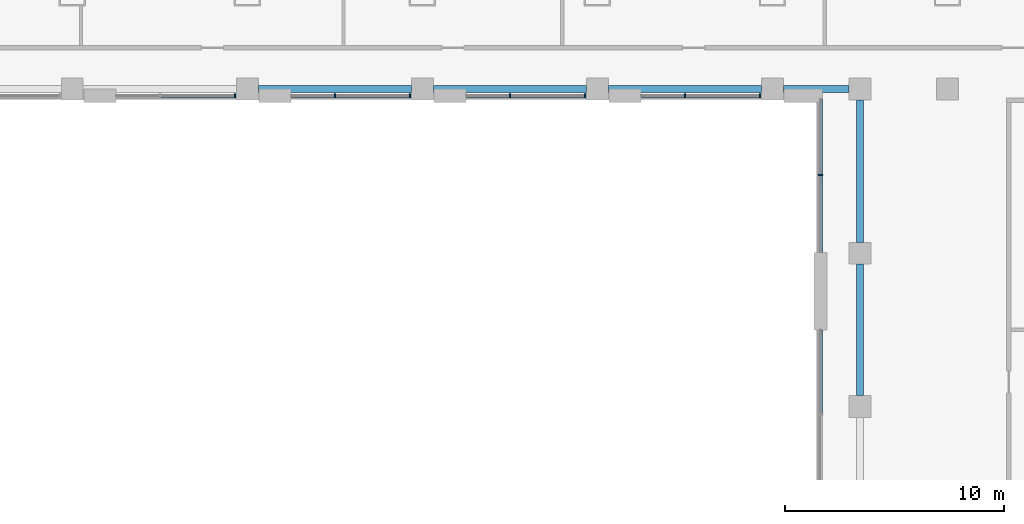
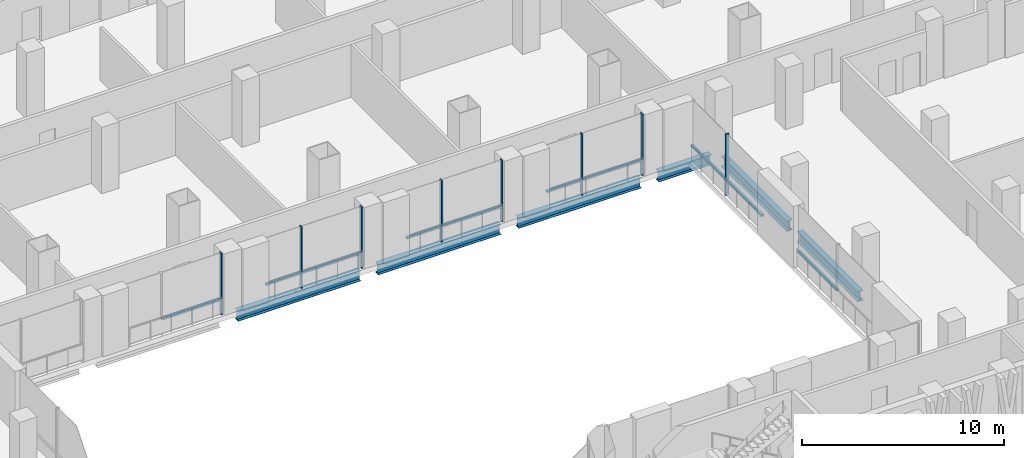
# One storey, part 4 of 24: 18 members, 6 beams, 6 elements without a shape of their own.
"""IFC4 building model written with IfcOpenShell, lengths in metres."""

from ifc_helpers import new_model, si_unit, direction, frame, origin, origin_2d, place, context, subcontext, project, spatial, rectangle, i_section, extrude, material, material_profile, profile_set, type_object, element, aggregate, save


model = new_model("IFC4")

# Units and contexts
model_context = context("Model", 3, precision=1e-05, world=origin(), true_north=direction((0.0, 1.0)))
body_context = subcontext(model_context, "Body", "Model", "MODEL_VIEW")
ifc_project = project(units=[si_unit("LENGTHUNIT", "METRE"), si_unit("AREAUNIT", "SQUARE_METRE"), si_unit("VOLUMEUNIT", "CUBIC_METRE"), si_unit("PLANEANGLEUNIT", "RADIAN"), si_unit("MASSUNIT", "GRAM", prefix="KILO")], contexts=[model_context])

# Site, building, storey
site_placement = place(None, origin())
site = spatial("IfcSite", under=ifc_project, at=site_placement, CompositionType="ELEMENT")
building_placement = place(site_placement, origin())
building = spatial("IfcBuilding", under=site, at=building_placement, Name="Vidyagriha Tower", CompositionType="ELEMENT")
storey_placement = place(building_placement, frame((0.0, 0.0, 22.0)))
storey = spatial("IfcBuildingStorey", under=building, at=storey_placement, Name="L05", CompositionType="ELEMENT", Elevation=22.0)

# Beams
ifc_material_1 = material(Name="Steel ASTM A992 Grade 50", Category="steel")
ifc_material_profile_1 = material_profile(ifc_material_1, i_section(OverallWidth=0.32373046875, OverallDepth=0.612060546875, WebThickness=0.0126953125, FlangeThickness=0.01904296875, at=origin_2d()), Name="W24X104")
ifc_profile_set_1 = profile_set([ifc_material_profile_1], Name="Steel ASTM A992 Grade 50")
beam_type = type_object("IfcBeamType", Name="Atrium edge beam W24X104", PredefinedType="BEAM", material=ifc_profile_set_1)
for number, where, z_axis, x_axis, name in (
    (1, (-5.5, -21.5, -0.60595703125), (1.0, 0.0, 0.0), (0.0, 1.0, 0.0), "st-beam-L05-AT09"),
    (2, (2.5, -21.5, -0.60595703125), (1.0, 0.0, 0.0), (0.0, 1.0, 0.0), "st-beam-L05-AT10"),
    (3, (10.5, -21.5, -0.60595703125), (1.0, 0.0, 0.0), (0.0, 1.0, 0.0), "st-beam-L05-AT11"),
):
    element("IfcBeam", number, at=place(storey_placement, frame(where, z_axis=z_axis, x_axis=x_axis)), inside=storey, type_object=beam_type, Name=name, PredefinedType="BEAM", context=body_context, shape_type="SweptSolid", body=[
        extrude(i_section(OverallWidth=0.32373046875, OverallDepth=0.612060546875, WebThickness=0.0126953125, FlangeThickness=0.01904296875, at=origin_2d()), origin(), (0.0, 0.0, 1.0), 7.0),
    ])
beam_1_placement = place(storey_placement, frame((18.5, -21.5, -0.60595703125), z_axis=(1.0, 0.0, 0.0), x_axis=(0.0, 1.0, 0.0)))
element("IfcBeam", 4, at=beam_1_placement, inside=storey, type_object=beam_type, Name="st-beam-L05-AT12", PredefinedType="BEAM", context=body_context, shape_type="SweptSolid", body=[
    extrude(i_section(OverallWidth=0.32373046875, OverallDepth=0.612060546875, WebThickness=0.0126953125, FlangeThickness=0.01904296875, at=origin_2d()), origin(), (0.0, 0.0, 1.0), 3.0),
])
beam_2_placement = place(storey_placement, frame((22.0, -35.5, -0.60595703125), z_axis=(0.0, 1.0, 0.0), x_axis=(-1.0, 0.0, 0.0)))
element("IfcBeam", 5, at=beam_2_placement, inside=storey, type_object=beam_type, Name="st-beam-L05-AT17", PredefinedType="BEAM", context=body_context, shape_type="SweptSolid", body=[
    extrude(i_section(OverallWidth=0.32373046875, OverallDepth=0.612060546875, WebThickness=0.0126953125, FlangeThickness=0.01904296875, at=origin_2d()), origin(), (0.0, 0.0, 1.0), 6.0),
])
beam_3_placement = place(storey_placement, frame((22.0, -28.5, -0.60595703125), z_axis=(0.0, 1.0, 0.0), x_axis=(-1.0, 0.0, 0.0)))
element("IfcBeam", 6, at=beam_3_placement, inside=storey, type_object=beam_type, Name="st-beam-L05-AT18", PredefinedType="BEAM", context=body_context, shape_type="SweptSolid", body=[
    extrude(i_section(OverallWidth=0.32373046875, OverallDepth=0.612060546875, WebThickness=0.0126953125, FlangeThickness=0.01904296875, at=origin_2d()), origin(), (0.0, 0.0, 1.0), 6.5),
])

# Curtain wall, member
ifc_material_2 = material(Name="Aluminium and glass curtain wall", Category="aluminium")
curtain_wall_type = type_object("IfcCurtainWallType", Name="Atrium screen curtain wall", PredefinedType="USERDEFINED", material=ifc_material_2)
curtain_wall_1_placement = place(storey_placement, origin())
curtain_wall_1 = element("IfcCurtainWall", 7, at=curtain_wall_1_placement, inside=storey, type_object=curtain_wall_type, Name="CW6 atrium screen", ObjectType="UNITISED", PredefinedType="USERDEFINED")
ifc_material_3 = material(Name="Aluminium black anodised", Category="aluminium")
ifc_material_profile_2 = material_profile(ifc_material_3, rectangle(XDim=0.199951171875, YDim=0.070068359375, at=origin_2d()), Name="Mullion 70x200 black aluminium")
ifc_profile_set_2 = profile_set([ifc_material_profile_2], Name="Aluminium black anodised")
member_type_1 = type_object("IfcMemberType", Name="Mullion 70x200 black aluminium", PredefinedType="MULLION", material=ifc_profile_set_2)
member_1_placement = place(storey_placement, frame((-6.56494140625, -21.800048828125, 0.0), z_axis=(0.0, 0.0, 1.0), x_axis=(0.0, 1.0, 0.0)))
member_1 = element("IfcMember", 8, at=member_1_placement, type_object=member_type_1, Name="CW6 mullion 3", PredefinedType="MULLION", context=body_context, shape_type="SweptSolid", body=[
    extrude(rectangle(XDim=0.199951171875, YDim=0.070068359375, at=origin_2d()), origin(), (0.0, 0.0, 1.0), 3.699951171875),
])

# Curtain wall, members
curtain_wall_2_placement = place(storey_placement, origin())
curtain_wall_2 = element("IfcCurtainWall", 9, at=curtain_wall_2_placement, inside=storey, type_object=curtain_wall_type, Name="CW6 atrium screen", ObjectType="UNITISED", PredefinedType="USERDEFINED")
member_2_placement = place(storey_placement, frame((-2.0, -21.800048828125, 0.0), z_axis=(0.0, 0.0, 1.0), x_axis=(0.0, 1.0, 0.0)))
member_2 = element("IfcMember", 10, at=member_2_placement, type_object=member_type_1, Name="CW6 mullion 2", PredefinedType="MULLION", context=body_context, shape_type="SweptSolid", body=[
    extrude(rectangle(XDim=0.199951171875, YDim=0.070068359375, at=origin_2d()), origin(), (0.0, 0.0, 1.0), 3.699951171875),
])
member_3_placement = place(storey_placement, frame((1.43505859375, -21.800048828125, 0.0), z_axis=(0.0, 0.0, 1.0), x_axis=(0.0, 1.0, 0.0)))
member_3 = element("IfcMember", 11, at=member_3_placement, type_object=member_type_1, Name="CW6 mullion 3", PredefinedType="MULLION", context=body_context, shape_type="SweptSolid", body=[
    extrude(rectangle(XDim=0.199951171875, YDim=0.070068359375, at=origin_2d()), origin(), (0.0, 0.0, 1.0), 3.699951171875),
])

curtain_wall_3_placement = place(storey_placement, origin())
curtain_wall_3 = element("IfcCurtainWall", 12, at=curtain_wall_3_placement, inside=storey, type_object=curtain_wall_type, Name="CW6 atrium screen", ObjectType="UNITISED", PredefinedType="USERDEFINED")
member_4_placement = place(storey_placement, frame((6.0, -21.800048828125, 0.0), z_axis=(0.0, 0.0, 1.0), x_axis=(0.0, 1.0, 0.0)))
member_4 = element("IfcMember", 13, at=member_4_placement, type_object=member_type_1, Name="CW6 mullion 2", PredefinedType="MULLION", context=body_context, shape_type="SweptSolid", body=[
    extrude(rectangle(XDim=0.199951171875, YDim=0.070068359375, at=origin_2d()), origin(), (0.0, 0.0, 1.0), 3.699951171875),
])
member_5_placement = place(storey_placement, frame((9.43505859375, -21.800048828125, 0.0), z_axis=(0.0, 0.0, 1.0), x_axis=(0.0, 1.0, 0.0)))
member_5 = element("IfcMember", 14, at=member_5_placement, type_object=member_type_1, Name="CW6 mullion 3", PredefinedType="MULLION", context=body_context, shape_type="SweptSolid", body=[
    extrude(rectangle(XDim=0.199951171875, YDim=0.070068359375, at=origin_2d()), origin(), (0.0, 0.0, 1.0), 3.699951171875),
])

curtain_wall_4_placement = place(storey_placement, origin())
curtain_wall_4 = element("IfcCurtainWall", 15, at=curtain_wall_4_placement, inside=storey, type_object=curtain_wall_type, Name="CW6 atrium screen", ObjectType="UNITISED", PredefinedType="USERDEFINED")
member_6_placement = place(storey_placement, frame((14.0, -21.800048828125, 0.0), z_axis=(0.0, 0.0, 1.0), x_axis=(0.0, 1.0, 0.0)))
member_6 = element("IfcMember", 16, at=member_6_placement, type_object=member_type_1, Name="CW6 mullion 2", PredefinedType="MULLION", context=body_context, shape_type="SweptSolid", body=[
    extrude(rectangle(XDim=0.199951171875, YDim=0.070068359375, at=origin_2d()), origin(), (0.0, 0.0, 1.0), 3.699951171875),
])
member_7_placement = place(storey_placement, frame((17.43505859375, -21.800048828125, 0.0), z_axis=(0.0, 0.0, 1.0), x_axis=(0.0, 1.0, 0.0)))
member_7 = element("IfcMember", 17, at=member_7_placement, type_object=member_type_1, Name="CW6 mullion 3", PredefinedType="MULLION", context=body_context, shape_type="SweptSolid", body=[
    extrude(rectangle(XDim=0.199951171875, YDim=0.070068359375, at=origin_2d()), origin(), (0.0, 0.0, 1.0), 3.699951171875),
])

# Curtain wall, member
curtain_wall_5_placement = place(storey_placement, origin())
curtain_wall_5 = element("IfcCurtainWall", 18, at=curtain_wall_5_placement, inside=storey, type_object=curtain_wall_type, Name="CW6 atrium screen", ObjectType="UNITISED", PredefinedType="USERDEFINED")
member_8_placement = place(storey_placement, frame((20.199951171875, -25.419921875, 0.0)))
member_8 = element("IfcMember", 19, at=member_8_placement, type_object=member_type_1, Name="CW6 mullion 2", PredefinedType="MULLION", context=body_context, shape_type="SweptSolid", body=[
    extrude(rectangle(XDim=0.199951171875, YDim=0.070068359375, at=origin_2d()), origin(), (0.0, 0.0, 1.0), 3.699951171875),
])

# Member
ifc_material_4 = material(Name="Aluminium black anodised", Category="aluminium")
ifc_material_profile_3 = material_profile(ifc_material_4, rectangle(XDim=0.159912109375, YDim=0.10009765625, at=origin_2d()), Name="Transom 100x160 black aluminium")
ifc_profile_set_3 = profile_set([ifc_material_profile_3], Name="Aluminium black anodised")
member_type_2 = type_object("IfcMemberType", Name="Transom 100x160 black aluminium", PredefinedType="USERDEFINED", material=ifc_profile_set_3)
member_9_placement = place(storey_placement, frame((-9.965087890625, -21.800048828125, 0.89990234375), z_axis=(1.0, 0.0, 0.0), x_axis=(0.0, 1.0, 0.0)))
member_9 = element("IfcMember", 20, at=member_9_placement, type_object=member_type_2, Name="CW6 transom 2.1", ObjectType="TRANSOM", PredefinedType="USERDEFINED", context=body_context, shape_type="SweptSolid", body=[
    extrude(rectangle(XDim=0.159912109375, YDim=0.10009765625, at=origin_2d()), origin(), (0.0, 0.0, 1.0), 3.364990234375),
])

aggregate(curtain_wall_1, [member_1, member_9])

member_10_placement = place(storey_placement, frame((-4.0, -21.800048828125, 0.89990234375), z_axis=(1.0, 0.0, 0.0), x_axis=(0.0, 1.0, 0.0)))
member_10 = element("IfcMember", 21, at=member_10_placement, type_object=member_type_2, Name="CW6 transom 1.1", ObjectType="TRANSOM", PredefinedType="USERDEFINED", context=body_context, shape_type="SweptSolid", body=[
    extrude(rectangle(XDim=0.159912109375, YDim=0.10009765625, at=origin_2d()), origin(), (0.0, 0.0, 1.0), 1.965087890625),
])

member_11_placement = place(storey_placement, frame((-1.965087890625, -21.800048828125, 0.89990234375), z_axis=(1.0, 0.0, 0.0), x_axis=(0.0, 1.0, 0.0)))
member_11 = element("IfcMember", 22, at=member_11_placement, type_object=member_type_2, Name="CW6 transom 2.1", ObjectType="TRANSOM", PredefinedType="USERDEFINED", context=body_context, shape_type="SweptSolid", body=[
    extrude(rectangle(XDim=0.159912109375, YDim=0.10009765625, at=origin_2d()), origin(), (0.0, 0.0, 1.0), 3.364990234375),
])

aggregate(curtain_wall_2, [member_2, member_3, member_10, member_11])

member_12_placement = place(storey_placement, frame((4.0, -21.800048828125, 0.89990234375), z_axis=(1.0, 0.0, 0.0), x_axis=(0.0, 1.0, 0.0)))
member_12 = element("IfcMember", 23, at=member_12_placement, type_object=member_type_2, Name="CW6 transom 1.1", ObjectType="TRANSOM", PredefinedType="USERDEFINED", context=body_context, shape_type="SweptSolid", body=[
    extrude(rectangle(XDim=0.159912109375, YDim=0.10009765625, at=origin_2d()), origin(), (0.0, 0.0, 1.0), 1.965087890625),
])

member_13_placement = place(storey_placement, frame((6.034912109375, -21.800048828125, 0.89990234375), z_axis=(1.0, 0.0, 0.0), x_axis=(0.0, 1.0, 0.0)))
member_13 = element("IfcMember", 24, at=member_13_placement, type_object=member_type_2, Name="CW6 transom 2.1", ObjectType="TRANSOM", PredefinedType="USERDEFINED", context=body_context, shape_type="SweptSolid", body=[
    extrude(rectangle(XDim=0.159912109375, YDim=0.10009765625, at=origin_2d()), origin(), (0.0, 0.0, 1.0), 3.364990234375),
])

aggregate(curtain_wall_3, [member_4, member_5, member_12, member_13])

member_14_placement = place(storey_placement, frame((12.0, -21.800048828125, 0.89990234375), z_axis=(1.0, 0.0, 0.0), x_axis=(0.0, 1.0, 0.0)))
member_14 = element("IfcMember", 25, at=member_14_placement, type_object=member_type_2, Name="CW6 transom 1.1", ObjectType="TRANSOM", PredefinedType="USERDEFINED", context=body_context, shape_type="SweptSolid", body=[
    extrude(rectangle(XDim=0.159912109375, YDim=0.10009765625, at=origin_2d()), origin(), (0.0, 0.0, 1.0), 1.965087890625),
])

member_15_placement = place(storey_placement, frame((14.034912109375, -21.800048828125, 0.89990234375), z_axis=(1.0, 0.0, 0.0), x_axis=(0.0, 1.0, 0.0)))
member_15 = element("IfcMember", 26, at=member_15_placement, type_object=member_type_2, Name="CW6 transom 2.1", ObjectType="TRANSOM", PredefinedType="USERDEFINED", context=body_context, shape_type="SweptSolid", body=[
    extrude(rectangle(XDim=0.159912109375, YDim=0.10009765625, at=origin_2d()), origin(), (0.0, 0.0, 1.0), 3.364990234375),
])

aggregate(curtain_wall_4, [member_6, member_7, member_14, member_15])

member_16_placement = place(storey_placement, frame((20.199951171875, -21.949951171875, 0.89990234375), z_axis=(0.0, -1.0, 0.0), x_axis=(1.0, 0.0, 0.0)))
member_16 = element("IfcMember", 27, at=member_16_placement, type_object=member_type_2, Name="CW6 transom 1.1", ObjectType="TRANSOM", PredefinedType="USERDEFINED", context=body_context, shape_type="SweptSolid", body=[
    extrude(rectangle(XDim=0.159912109375, YDim=0.10009765625, at=origin_2d()), origin(), (0.0, 0.0, 1.0), 3.43505859375),
])

member_17_placement = place(storey_placement, frame((20.199951171875, -25.455078125, 0.89990234375), z_axis=(0.0, -1.0, 0.0), x_axis=(1.0, 0.0, 0.0)))
member_17 = element("IfcMember", 28, at=member_17_placement, type_object=member_type_2, Name="CW6 transom 2.1", ObjectType="TRANSOM", PredefinedType="USERDEFINED", context=body_context, shape_type="SweptSolid", body=[
    extrude(rectangle(XDim=0.159912109375, YDim=0.10009765625, at=origin_2d()), origin(), (0.0, 0.0, 1.0), 3.5048828125),
])

aggregate(curtain_wall_5, [member_8, member_16, member_17])

# Curtain wall, member
curtain_wall_6_placement = place(storey_placement, origin())
curtain_wall_6 = element("IfcCurtainWall", 29, at=curtain_wall_6_placement, inside=storey, type_object=curtain_wall_type, Name="CW6 atrium screen", ObjectType="UNITISED", PredefinedType="USERDEFINED")
member_18_placement = place(storey_placement, frame((20.199951171875, -32.5, 0.89990234375), z_axis=(0.0, -1.0, 0.0), x_axis=(1.0, 0.0, 0.0)))
member_18 = element("IfcMember", 30, at=member_18_placement, type_object=member_type_2, Name="CW6 transom 1.1", ObjectType="TRANSOM", PredefinedType="USERDEFINED", context=body_context, shape_type="SweptSolid", body=[
    extrude(rectangle(XDim=0.159912109375, YDim=0.10009765625, at=origin_2d()), origin(), (0.0, 0.0, 1.0), 3.83837890625),
])
aggregate(curtain_wall_6, [member_18])

save(model, "model.ifc")
